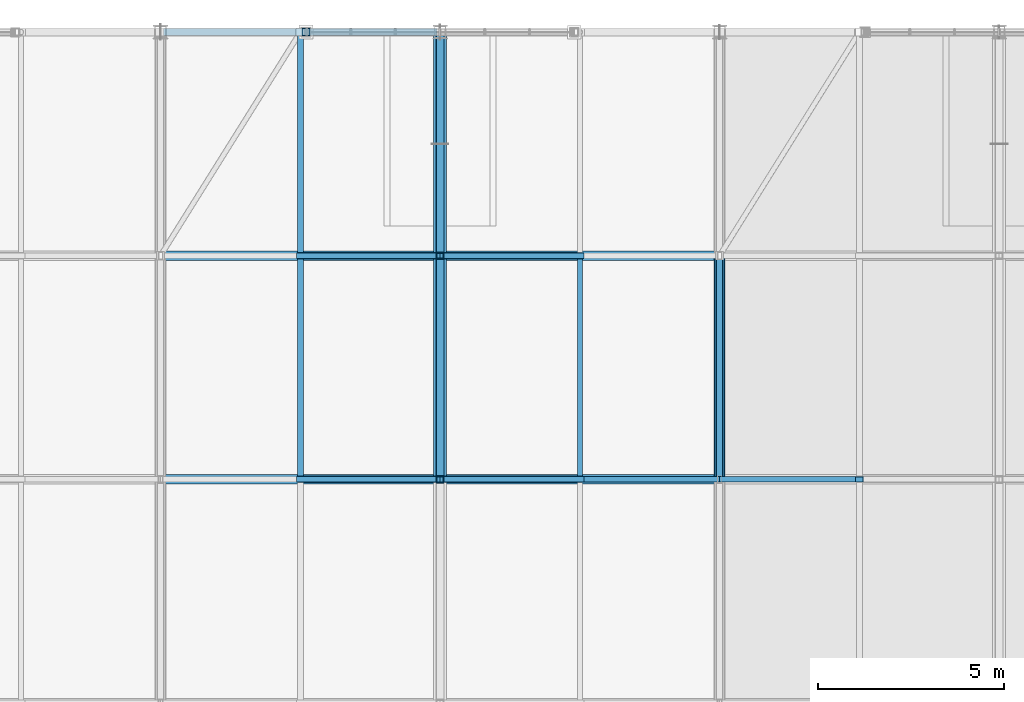
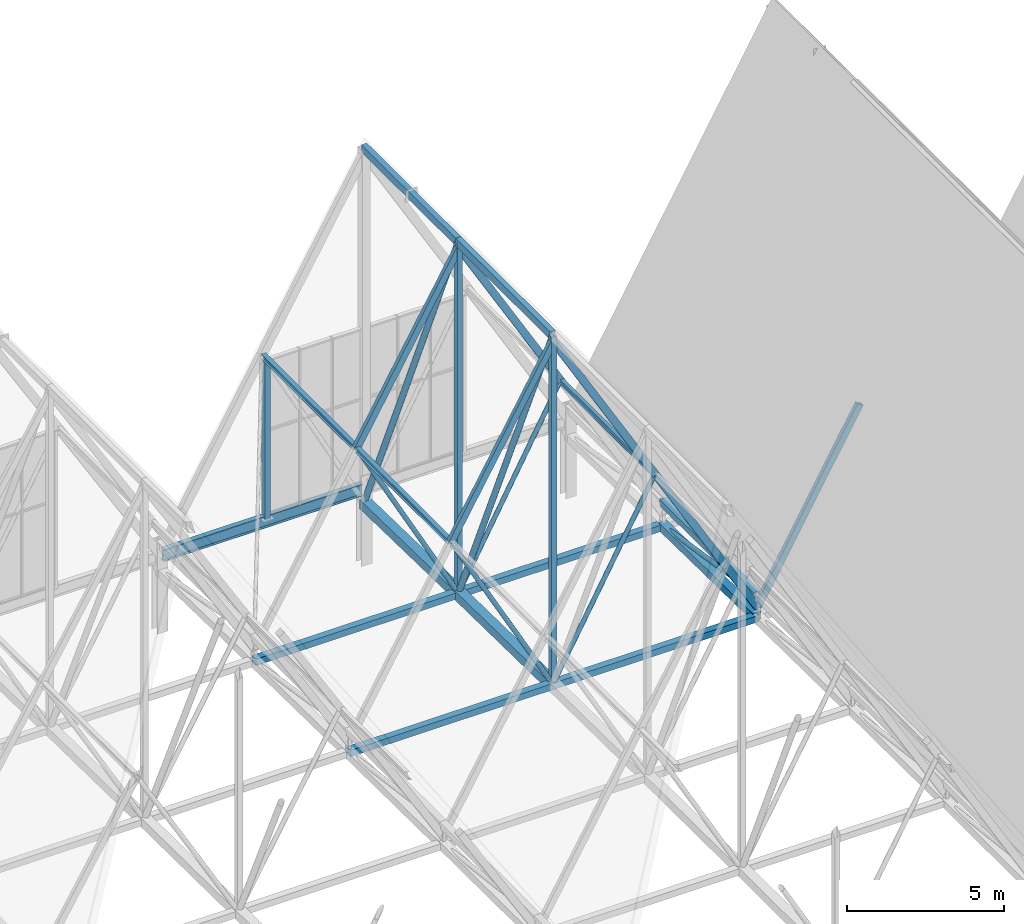
# One storey, part 117 of 324: 24 members, 4 beams.
"""IFC4 building model written with IfcOpenShell, lengths in metres."""

from ifc_helpers import new_model, si_unit, direction, frame, origin, origin_2d, place, context, subcontext, project, spatial, hollow_rectangle, hollow_circle, i_section, extrude, material, material_profile, profile_set, type_object, element, save


model = new_model("IFC4")

# Units and contexts
model_context = context("Model", 3, precision=1e-05, world=origin(), true_north=direction((0.0, 1.0)))
body_context = subcontext(model_context, "Body", "Model", "MODEL_VIEW")
ifc_project = project(units=[si_unit("LENGTHUNIT", "METRE"), si_unit("AREAUNIT", "SQUARE_METRE"), si_unit("VOLUMEUNIT", "CUBIC_METRE"), si_unit("PLANEANGLEUNIT", "RADIAN"), si_unit("MASSUNIT", "GRAM", prefix="KILO")], contexts=[model_context])

# Site, building, storey
site_placement = place(None, origin())
site = spatial("IfcSite", under=ifc_project, at=site_placement, CompositionType="ELEMENT")
building_placement = place(site_placement, origin())
building = spatial("IfcBuilding", under=site, at=building_placement, Name="Solvenia Promenade Tram Depot", CompositionType="ELEMENT")
storey_placement = place(building_placement, frame((0.0, 0.0, 4.5)))
storey = spatial("IfcBuildingStorey", under=building, at=storey_placement, Name="L01", CompositionType="ELEMENT", Elevation=4.5)

# Members
ifc_material_1 = material(Name="Structural steel ASTM A500 Gr. C", Category="steel")
ifc_material_profile_1 = material_profile(ifc_material_1, hollow_circle(Radius=0.109619140625, WallThickness=0.008056640625, at=origin_2d()), Name="CHS219.1x8", Category="steel")
ifc_profile_set_1 = profile_set([ifc_material_profile_1], Name="Structural steel ASTM A500 Gr. C")
member_type_1 = type_object("IfcMemberType", Name="Brace-CHS219x8", PredefinedType="BRACE", material=ifc_profile_set_1)
member_1_placement = place(storey_placement, frame((52.5, 120.0, 2.446044921875), z_axis=(0.0, -0.402603008516, 0.915374686964), x_axis=(1.0, 0.0, 0.0)))
element("IfcMember", 1, at=member_1_placement, inside=storey, type_object=member_type_1, Name="Arched Truss T08 Web Diagonal S09", PredefinedType="BRACE", context=body_context, shape_type="SweptSolid", body=[
    extrude(hollow_circle(Radius=0.109619140625, WallThickness=0.008056640625, at=origin_2d()), origin(), (0.0, 0.0, 1.0), 14.903076171875),
])
member_2_placement = place(storey_placement, frame((52.5, 126.0, 2.320068359375), z_axis=(0.0, -0.399509410742, 0.916729093423), x_axis=(1.0, 0.0, 0.0)))
element("IfcMember", 2, at=member_2_placement, inside=storey, type_object=member_type_1, Name="Arched Truss T08 Web Diagonal S10", PredefinedType="BRACE", context=body_context, shape_type="SweptSolid", body=[
    extrude(hollow_circle(Radius=0.109619140625, WallThickness=0.008056640625, at=origin_2d()), origin(), (0.0, 0.0, 1.0), 15.018310546875),
])
ifc_material_profile_2 = material_profile(ifc_material_1, hollow_rectangle(XDim=0.14990234375, YDim=0.25, WallThickness=0.010009765625, at=origin_2d()), Name="HSS250x150x10", Category="steel")
ifc_profile_set_2 = profile_set([ifc_material_profile_2], Name="Structural steel ASTM A500 Gr. C")
member_type_2 = type_object("IfcMemberType", Name="Chord-HSS250x150x10", PredefinedType="CHORD", material=ifc_profile_set_2)
for number, where, z_axis, x_axis, name in (
    (3, (48.75, 114.0, 9.39013671875), (0.501516268578, 0.0, 0.865148214095), (0.0, 1.0, 0.0), "Zigzag Gable 04 West Upper Rafter"),
    (4, (52.5, 114.0, 15.859130859375), (0.501516268578, 0.0, -0.865148214095), (0.0, 1.0, 0.0), "Zigzag Gable 04 East Upper Rafter"),
    (5, (56.25, 114.0, 9.39013671875), (0.501516268578, 0.0, -0.865148214095), (0.0, 1.0, 0.0), "Zigzag Gable 04 East Lower Rafter"),
    (6, (48.75, 120.0, 9.39013671875), (0.501516268578, 0.0, 0.865148214095), (0.0, 1.0, 0.0), "Zigzag Gable 04 West Upper Rafter"),
    (7, (52.5, 120.0, 15.859130859375), (0.501516268578, 0.0, -0.865148214095), (0.0, 1.0, 0.0), "Zigzag Gable 04 East Upper Rafter"),
):
    element("IfcMember", number, at=place(storey_placement, frame(where, z_axis=z_axis, x_axis=x_axis)), inside=storey, type_object=member_type_2, Name=name, PredefinedType="CHORD", context=body_context, shape_type="SweptSolid", body=[
        extrude(hollow_rectangle(XDim=0.14990234375, YDim=0.25, WallThickness=0.010009765625, at=origin_2d()), origin(), (0.0, 0.0, 1.0), 7.477294921875),
    ])
member_3_placement = place(storey_placement, frame((60.0, 114.0, 2.916259765625), z_axis=(0.494861595532, 0.0, 0.868971806946), x_axis=(0.0, 1.0, 0.0)))
element("IfcMember", 8, at=member_3_placement, inside=storey, type_object=member_type_2, Name="Zigzag Gable 05 West Lower Rafter", PredefinedType="CHORD", context=body_context, shape_type="SweptSolid", body=[
    extrude(hollow_rectangle(XDim=0.14990234375, YDim=0.25, WallThickness=0.010009765625, at=origin_2d()), origin(), (0.0, 0.0, 1.0), 7.577880859375),
])
ifc_material_profile_3 = material_profile(ifc_material_1, hollow_rectangle(XDim=0.25, YDim=0.25, WallThickness=0.010009765625, at=origin_2d()), Name="HSS250x250x10", Category="steel")
ifc_profile_set_3 = profile_set([ifc_material_profile_3], Name="Structural steel ASTM A500 Gr. C")
member_type_3 = type_object("IfcMemberType", Name="Chord-HSS250x250x10", PredefinedType="CHORD", material=ifc_profile_set_3)
member_4_placement = place(storey_placement, frame((60.0, 114.0, 3.3798828125), z_axis=(0.0, 1.0, 0.0), x_axis=(-1.0, 0.0, 0.0)))
element("IfcMember", 9, at=member_4_placement, inside=storey, type_object=member_type_3, Name="Arched Truss T09 Upper Chord S09", PredefinedType="CHORD", context=body_context, shape_type="SweptSolid", body=[
    extrude(hollow_rectangle(XDim=0.25, YDim=0.25, WallThickness=0.010009765625, at=origin_2d()), origin(), (0.0, 0.0, 1.0), 6.0),
])
for number, where, z_axis, x_axis, name in (
    (10, (45.0, 114.0, 2.5439453125), (1.0, 0.0, 0.0), (0.0, 1.0, 0.0), "Bottom-Chord Catenary Lateral Tie 035"),
    (11, (45.0, 120.0, 2.446044921875), (1.0, 0.0, 0.0), (0.0, 1.0, 0.0), "Bottom-Chord Catenary Lateral Tie 036"),
):
    element("IfcMember", number, at=place(storey_placement, frame(where, z_axis=z_axis, x_axis=x_axis)), inside=storey, type_object=member_type_3, Name=name, PredefinedType="CHORD", context=body_context, shape_type="SweptSolid", body=[
        extrude(hollow_rectangle(XDim=0.25, YDim=0.25, WallThickness=0.010009765625, at=origin_2d()), origin(), (0.0, 0.0, 1.0), 15.0),
    ])
ifc_material_profile_4 = material_profile(ifc_material_1, hollow_rectangle(XDim=0.199951171875, YDim=0.300048828125, WallThickness=0.012451171875, at=origin_2d()), Name="HSS300x200x12.5", Category="steel")
ifc_profile_set_4 = profile_set([ifc_material_profile_4], Name="Structural steel ASTM A500 Gr. C")
member_type_4 = type_object("IfcMemberType", Name="Chord-HSS300x200x12", PredefinedType="CHORD", material=ifc_profile_set_4)
for number, where, z_axis, x_axis, name in (
    (12, (52.5, 114.0, 16.087890625), (0.0, 1.0, 0.0), (-1.0, 0.0, 0.0), "Arched Truss T08 Upper Chord S09"),
    (13, (52.5, 120.0, 16.087890625), (0.0, 1.0, 0.0), (-1.0, 0.0, 0.0), "Arched Truss T08 Upper Chord S10"),
):
    element("IfcMember", number, at=place(storey_placement, frame(where, z_axis=z_axis, x_axis=x_axis)), inside=storey, type_object=member_type_4, Name=name, PredefinedType="CHORD", context=body_context, shape_type="SweptSolid", body=[
        extrude(hollow_rectangle(XDim=0.199951171875, YDim=0.300048828125, WallThickness=0.012451171875, at=origin_2d()), origin(), (0.0, 0.0, 1.0), 6.0),
    ])
ifc_material_profile_5 = material_profile(ifc_material_1, hollow_rectangle(XDim=0.300048828125, YDim=0.300048828125, WallThickness=0.012451171875, at=origin_2d()), Name="HSS300x300x12.5", Category="steel")
ifc_profile_set_5 = profile_set([ifc_material_profile_5], Name="Structural steel ASTM A500 Gr. C")
member_type_5 = type_object("IfcMemberType", Name="Chord-HSS300x300x12", PredefinedType="CHORD", material=ifc_profile_set_5)
member_5_placement = place(storey_placement, frame((60.0, 114.0, 2.5439453125), z_axis=(0.0, 0.999866908707, -0.016314560156), x_axis=(-1.0, 0.0, 0.0)))
element("IfcMember", 14, at=member_5_placement, inside=storey, type_object=member_type_5, Name="Arched Truss T09 Bottom Chord S09", PredefinedType="CHORD", context=body_context, shape_type="SweptSolid", body=[
    extrude(hollow_rectangle(XDim=0.300048828125, YDim=0.300048828125, WallThickness=0.012451171875, at=origin_2d()), origin(), (0.0, 0.0, 1.0), 6.000732421875),
])
ifc_material_profile_6 = material_profile(ifc_material_1, hollow_rectangle(XDim=0.35009765625, YDim=0.35009765625, WallThickness=0.01611328125, at=origin_2d()), Name="HSS350x350x16", Category="steel")
ifc_profile_set_6 = profile_set([ifc_material_profile_6], Name="Structural steel ASTM A500 Gr. C")
member_type_6 = type_object("IfcMemberType", Name="Chord-HSS350x350x16", PredefinedType="CHORD", material=ifc_profile_set_6)
member_6_placement = place(storey_placement, frame((52.5, 114.0, 2.5439453125), z_axis=(0.0, 0.999866908707, -0.016314560156), x_axis=(-1.0, 0.0, 0.0)))
element("IfcMember", 15, at=member_6_placement, inside=storey, type_object=member_type_6, Name="Arched Truss T08 Bottom Chord S09", PredefinedType="CHORD", context=body_context, shape_type="SweptSolid", body=[
    extrude(hollow_rectangle(XDim=0.35009765625, YDim=0.35009765625, WallThickness=0.01611328125, at=origin_2d()), origin(), (0.0, 0.0, 1.0), 6.000732421875),
])
member_7_placement = place(storey_placement, frame((52.5, 120.0, 2.446044921875), z_axis=(0.0, 0.999779654873, -0.020991467363), x_axis=(-1.0, 0.0, 0.0)))
element("IfcMember", 16, at=member_7_placement, inside=storey, type_object=member_type_6, Name="Arched Truss T08 Bottom Chord S10", PredefinedType="CHORD", context=body_context, shape_type="SweptSolid", body=[
    extrude(hollow_rectangle(XDim=0.35009765625, YDim=0.35009765625, WallThickness=0.01611328125, at=origin_2d()), origin(), (0.0, 0.0, 1.0), 6.001220703125),
])
ifc_material_profile_7 = material_profile(ifc_material_1, hollow_rectangle(XDim=0.199951171875, YDim=0.199951171875, WallThickness=0.010009765625, at=origin_2d()), Name="HSS200x200x10", Category="steel")
ifc_profile_set_7 = profile_set([ifc_material_profile_7], Name="Structural steel ASTM A500 Gr. C")
member_type_7 = type_object("IfcMemberType", Name="Post-HSS200x200x10", PredefinedType="POST", material=ifc_profile_set_7)
member_8_placement = place(storey_placement, frame((52.5, 114.0, 2.5439453125), z_axis=(0.0, 0.0, 1.0), x_axis=(1.0, 0.0, 0.0)))
element("IfcMember", 17, at=member_8_placement, inside=storey, type_object=member_type_7, Name="Arched Truss T08 Web Post S08", PredefinedType="POST", context=body_context, shape_type="SweptSolid", body=[
    extrude(hollow_rectangle(XDim=0.199951171875, YDim=0.199951171875, WallThickness=0.010009765625, at=origin_2d()), origin(), (0.0, 0.0, 1.0), 13.5439453125),
])
member_9_placement = place(storey_placement, frame((52.5, 120.0, 2.446044921875), z_axis=(0.0, 0.0, 1.0), x_axis=(1.0, 0.0, 0.0)))
element("IfcMember", 18, at=member_9_placement, inside=storey, type_object=member_type_7, Name="Arched Truss T08 Web Post S09", PredefinedType="POST", context=body_context, shape_type="SweptSolid", body=[
    extrude(hollow_rectangle(XDim=0.199951171875, YDim=0.199951171875, WallThickness=0.010009765625, at=origin_2d()), origin(), (0.0, 0.0, 1.0), 13.641845703125),
])
member_10_placement = place(storey_placement, frame((48.89990234375, 126.0, 3.0), z_axis=(0.0, 0.0, 1.0), x_axis=(1.0, 0.0, 0.0)))
element("IfcMember", 19, at=member_10_placement, inside=storey, type_object=member_type_7, Name="Gable Curtain-Wall Steel Jamb Post 013", PredefinedType="POST", context=body_context, shape_type="SweptSolid", body=[
    extrude(hollow_rectangle(XDim=0.199951171875, YDim=0.199951171875, WallThickness=0.010009765625, at=origin_2d()), origin(), (0.0, 0.0, 1.0), 6.14990234375),
])

# Beams
ifc_material_2 = material(Name="Structural steel ASTM A992 Gr. 50", Category="steel")
ifc_material_profile_8 = material_profile(ifc_material_2, i_section(OverallWidth=0.133056640625, OverallDepth=0.20703125, WebThickness=0.005859375, FlangeThickness=0.00830078125, FilletRadius=0.009033203125, at=origin_2d()), Name="W200x27", Category="steel")
ifc_profile_set_8 = profile_set([ifc_material_profile_8], Name="Structural steel ASTM A992 Gr. 50")
beam_type_1 = type_object("IfcBeamType", Name="Purlin-W200x27", PredefinedType="USERDEFINED", material=ifc_profile_set_8)
beam_1_placement = place(storey_placement, frame((56.25, 114.0849609375, 9.375732421875), z_axis=(0.0, 1.0, 0.0), x_axis=(-1.0, 0.0, 0.0)))
element("IfcBeam", 20, at=beam_1_placement, inside=storey, type_object=beam_type_1, Name="Gable Roof Purlin E-0078", ObjectType="PURLIN", PredefinedType="USERDEFINED", context=body_context, shape_type="SweptSolid", body=[
    extrude(i_section(OverallWidth=0.133056640625, OverallDepth=0.20703125, WebThickness=0.005859375, FlangeThickness=0.00830078125, FilletRadius=0.009033203125, at=origin_2d()), origin(), (0.0, 0.0, 1.0), 5.830078125),
])
ifc_material_profile_9 = material_profile(ifc_material_2, i_section(OverallWidth=0.1650390625, OverallDepth=0.200927734375, WebThickness=0.006103515625, FlangeThickness=0.01025390625, FilletRadius=0.010009765625, at=origin_2d()), Name="W200x36", Category="steel")
ifc_profile_set_9 = profile_set([ifc_material_profile_9], Name="Structural steel ASTM A992 Gr. 50")
beam_type_2 = type_object("IfcBeamType", Name="Purlin-W200x36", PredefinedType="USERDEFINED", material=ifc_profile_set_9)
for number, where, z_axis, x_axis, name in (
    (21, (48.75, 114.0849609375, 9.375732421875), (0.0, 1.0, 0.0), (-1.0, 0.0, 0.0), "Gable Roof Purlin W-0077"),
    (22, (48.75, 120.0849609375, 9.375732421875), (0.0, 1.0, 0.0), (-1.0, 0.0, 0.0), "Gable Roof Purlin W-0079"),
):
    element("IfcBeam", number, at=place(storey_placement, frame(where, z_axis=z_axis, x_axis=x_axis)), inside=storey, type_object=beam_type_2, Name=name, ObjectType="PURLIN", PredefinedType="USERDEFINED", context=body_context, shape_type="SweptSolid", body=[
        extrude(i_section(OverallWidth=0.1650390625, OverallDepth=0.200927734375, WebThickness=0.006103515625, FlangeThickness=0.01025390625, FilletRadius=0.010009765625, at=origin_2d()), origin(), (0.0, 0.0, 1.0), 5.830078125),
    ])
ifc_material_profile_10 = material_profile(ifc_material_2, i_section(OverallWidth=0.19091796875, OverallDepth=0.4599609375, WebThickness=0.010009765625, FlangeThickness=0.01611328125, FilletRadius=0.012939453125, at=origin_2d()), Name="W460x82", Category="steel")
ifc_profile_set_10 = profile_set([ifc_material_profile_10], Name="Structural steel ASTM A992 Gr. 50")
beam_type_3 = type_object("IfcBeamType", Name="Spandrel-W460x82", PredefinedType="SPANDREL", material=ifc_profile_set_10)
beam_2_placement = place(storey_placement, frame((45.0849609375, 126.0, 2.889892578125), z_axis=(1.0, 0.0, 0.0), x_axis=(0.0, 1.0, 0.0)))
element("IfcBeam", 23, at=beam_2_placement, inside=storey, type_object=beam_type_3, Name="North Shed Eave Girder BM-L01-0974", PredefinedType="SPANDREL", context=body_context, shape_type="SweptSolid", body=[
    extrude(i_section(OverallWidth=0.19091796875, OverallDepth=0.4599609375, WebThickness=0.010009765625, FlangeThickness=0.01611328125, FilletRadius=0.012939453125, at=origin_2d()), origin(), (0.0, 0.0, 1.0), 7.330078125),
])

# Members
ifc_material_profile_11 = material_profile(ifc_material_1, hollow_circle(Radius=0.084228515625, WallThickness=0.008056640625, at=origin_2d()), Name="CHS168.3x8", Category="steel")
ifc_profile_set_11 = profile_set([ifc_material_profile_11], Name="Structural steel ASTM A500 Gr. C")
member_type_8 = type_object("IfcMemberType", Name="WebDiag-CHS168x8", PredefinedType="BRACE", material=ifc_profile_set_11)
member_11_placement = place(storey_placement, frame((60.0, 120.0, 2.446044921875), z_axis=(0.0, -0.9881038455, 0.153788135133), x_axis=(1.0, 0.0, 0.0)))
element("IfcMember", 24, at=member_11_placement, inside=storey, type_object=member_type_8, Name="Arched Truss T09 Web Diagonal S09", PredefinedType="BRACE", context=body_context, shape_type="SweptSolid", body=[
    extrude(hollow_circle(Radius=0.084228515625, WallThickness=0.008056640625, at=origin_2d()), origin(), (0.0, 0.0, 1.0), 6.072265625),
])
for number, where, z_axis, x_axis, name in (
    (25, (52.5, 114.0, 2.5439453125), (-0.480402843129, 0.0, 0.877047950978), (0.0, -1.0, 0.0), "Zigzag Gable 04 West Knee Strut"),
    (26, (52.5, 114.0, 2.5439453125), (0.480402843129, 0.0, 0.877047950978), (0.0, 1.0, 0.0), "Zigzag Gable 04 East Knee Strut"),
):
    element("IfcMember", number, at=place(storey_placement, frame(where, z_axis=z_axis, x_axis=x_axis)), inside=storey, type_object=member_type_8, Name=name, PredefinedType="BRACE", context=body_context, shape_type="SweptSolid", body=[
        extrude(hollow_circle(Radius=0.084228515625, WallThickness=0.008056640625, at=origin_2d()), origin(), (0.0, 0.0, 1.0), 7.805908203125),
    ])
for number, where, z_axis, x_axis, name in (
    (27, (52.5, 120.0, 2.446044921875), (-0.475167596576, 0.0, 0.879895309207), (0.0, -1.0, 0.0), "Zigzag Gable 04 West Knee Strut"),
    (28, (52.5, 120.0, 2.446044921875), (0.475167596576, 0.0, 0.879895309207), (0.0, 1.0, 0.0), "Zigzag Gable 04 East Knee Strut"),
):
    element("IfcMember", number, at=place(storey_placement, frame(where, z_axis=z_axis, x_axis=x_axis)), inside=storey, type_object=member_type_8, Name=name, PredefinedType="BRACE", context=body_context, shape_type="SweptSolid", body=[
        extrude(hollow_circle(Radius=0.084228515625, WallThickness=0.008056640625, at=origin_2d()), origin(), (0.0, 0.0, 1.0), 7.891845703125),
    ])

save(model, "model.ifc")
